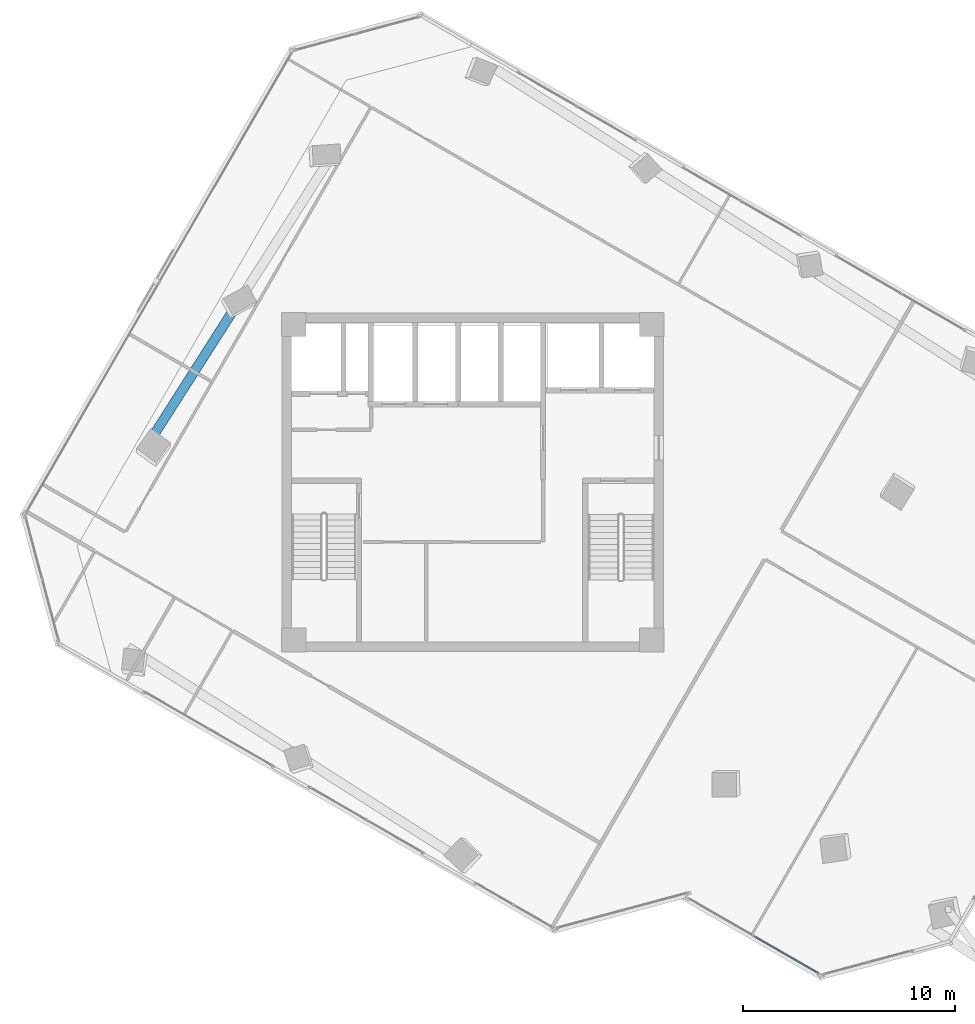
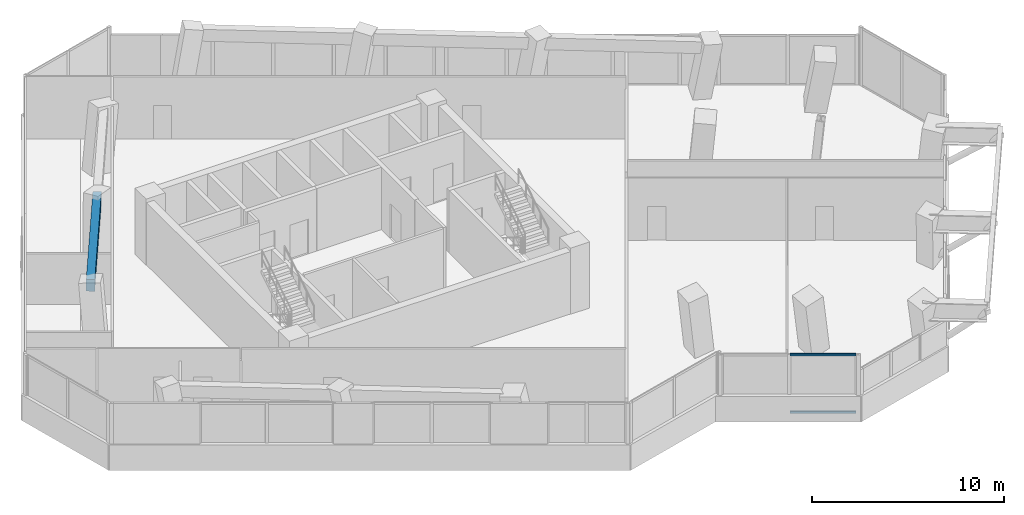
# One storey, part 7 of 22: 2 members, 1 beam, 1 element without a shape of its own.
"""IFC4 building model written with IfcOpenShell, lengths in metres."""

from ifc_helpers import new_model, si_unit, direction, frame, origin, origin_2d, place, context, subcontext, project, spatial, rectangle, hollow_rectangle, extrude, source, transform, mapped, material, material_profile, profile_set, type_object, element, aggregate, save


model = new_model("IFC4")

# Units and contexts
model_context = context("Model", 3, precision=1e-05, world=origin(), true_north=direction((0.0, 1.0)))
body_context = subcontext(model_context, "Body", "Model", "MODEL_VIEW")
ifc_project = project(units=[si_unit("LENGTHUNIT", "METRE"), si_unit("AREAUNIT", "SQUARE_METRE"), si_unit("VOLUMEUNIT", "CUBIC_METRE"), si_unit("PLANEANGLEUNIT", "RADIAN"), si_unit("MASSUNIT", "GRAM", prefix="KILO")], contexts=[model_context])

# Site, building, storey
site_placement = place(None, origin())
site = spatial("IfcSite", under=ifc_project, at=site_placement, CompositionType="ELEMENT")
building_placement = place(site_placement, origin())
building = spatial("IfcBuilding", under=site, at=building_placement, Name="Torre Montelarca", CompositionType="ELEMENT")
storey_placement = place(building_placement, frame((0.0, 0.0, 183.39990234375)))
storey = spatial("IfcBuildingStorey", under=building, at=storey_placement, Name="L41", CompositionType="ELEMENT", Elevation=183.39990234375)

# Beam
ifc_material_1 = material(Name="Concrete C55/67", Category="concrete")
ifc_material_profile_1 = material_profile(ifc_material_1, rectangle(XDim=0.449951171875, YDim=0.75, at=origin_2d()), Name="RCB450X750", Category="concrete")
ifc_profile_set_1 = profile_set([ifc_material_profile_1], Name="Concrete C55/67")
beam_type = type_object("IfcBeamType", Name="BM-SP-RC750-EXT", PredefinedType="SPANDREL", material=ifc_profile_set_1)
shared_shape_1 = source(origin(), body_context, "Body", "SweptSolid", [
    extrude(rectangle(XDim=0.449951171875, YDim=0.75, at=origin_2d()), origin(), (0.0, 0.0, 1.0), 8.0),
])
beam_placement = place(storey_placement, frame((2.990478515625, 34.306396484375, 3.585205078125), z_axis=(0.537298007891, 0.843392465414, 0.0), x_axis=(-0.843392465414, 0.537298007891, 0.0)))
element("IfcBeam", 1, at=beam_placement, inside=storey, type_object=beam_type, Name="L41 Grid Girder Y 24.0-32.0 at X=4.7", PredefinedType="SPANDREL", context=body_context, shape_type="MappedRepresentation", body=[
    mapped(shared_shape_1, transform((0.0, 0.0, 0.0), scale=1.0)),
])

# Curtain wall, members
ifc_material_2 = material(Name="Insulated low-E laminated glass", Category="glass")
curtain_wall_type = type_object("IfcCurtainWallType", Name="CW-SYS-Z2", PredefinedType="USERDEFINED", material=ifc_material_2)
curtain_wall_placement = place(storey_placement, origin())
curtain_wall = element("IfcCurtainWall", 2, at=curtain_wall_placement, inside=storey, type_object=curtain_wall_type, Name="L41 Curtain Wall Run CW-T3-L41-E04-B1", ObjectType="UNITISED GLAZING", PredefinedType="USERDEFINED")
ifc_material_3 = material(Name="Anodised aluminium AA 6063-T6", Category="aluminium")
ifc_material_profile_2 = material_profile(ifc_material_3, hollow_rectangle(XDim=0.06494140625, YDim=0.139892578125, WallThickness=0.00390625, InnerFilletRadius=0.00390625, OuterFilletRadius=0.008056640625, at=origin_2d()), Name="ALU65X140X4", Category="aluminium")
ifc_profile_set_2 = profile_set([ifc_material_profile_2], Name="Anodised aluminium AA 6063-T6")
member_type = type_object("IfcMemberType", Name="CWT-ALU140", PredefinedType="USERDEFINED", material=ifc_profile_set_2)
shared_shape_2 = source(origin(), body_context, "Body", "SweptSolid", [
    extrude(hollow_rectangle(XDim=0.06494140625, YDim=0.139892578125, WallThickness=0.00390625, InnerFilletRadius=0.00390625, OuterFilletRadius=0.008056640625, at=origin_2d()), origin(), (0.0, 0.0, 1.0), 3.448486328125),
])
member_1_placement = place(storey_placement, frame((31.310546875, 10.551025390625, 0.03271484375), z_axis=(0.86604765406, -0.499961459411, 0.0), x_axis=(0.499961459411, 0.86604765406, 0.0)))
member_1 = element("IfcMember", 3, at=member_1_placement, type_object=member_type, Name="CW transom 2.1", ObjectType="TRANSOM", PredefinedType="USERDEFINED", context=body_context, shape_type="MappedRepresentation", body=[
    mapped(shared_shape_2, transform((0.0, 0.0, 0.0), scale=1.0)),
])
member_2_placement = place(storey_placement, frame((31.310546875, 10.551025390625, 3.6875), z_axis=(0.86604765406, -0.499961459411, 0.0), x_axis=(0.499961459411, 0.86604765406, 0.0)))
member_2 = element("IfcMember", 4, at=member_2_placement, type_object=member_type, Name="CW transom 2.2", ObjectType="TRANSOM", PredefinedType="USERDEFINED", context=body_context, shape_type="MappedRepresentation", body=[
    mapped(shared_shape_2, transform((0.0, 0.0, 0.0), scale=1.0)),
])
aggregate(curtain_wall, [member_1, member_2])

save(model, "model.ifc")
